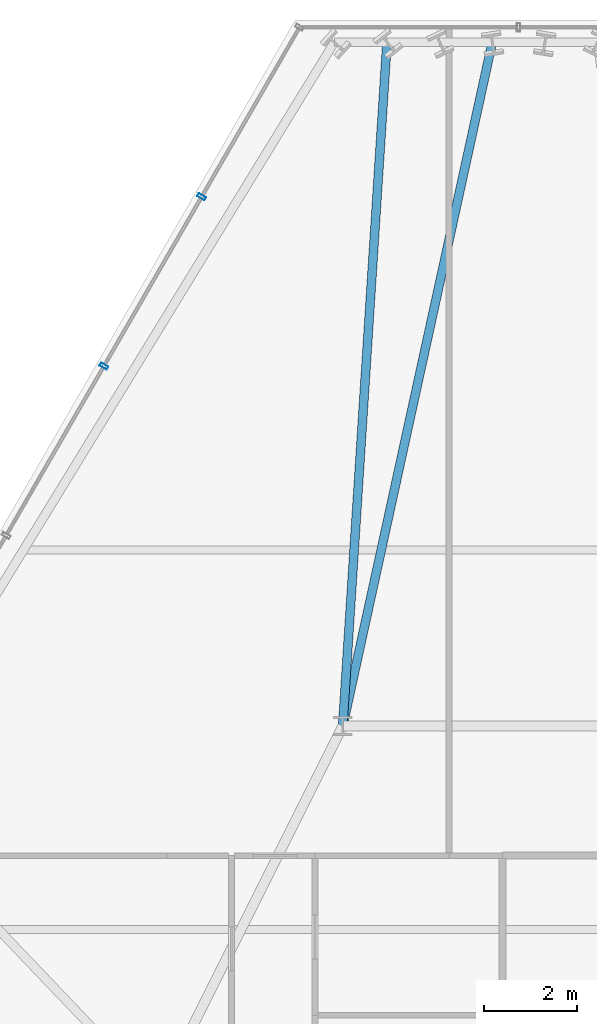
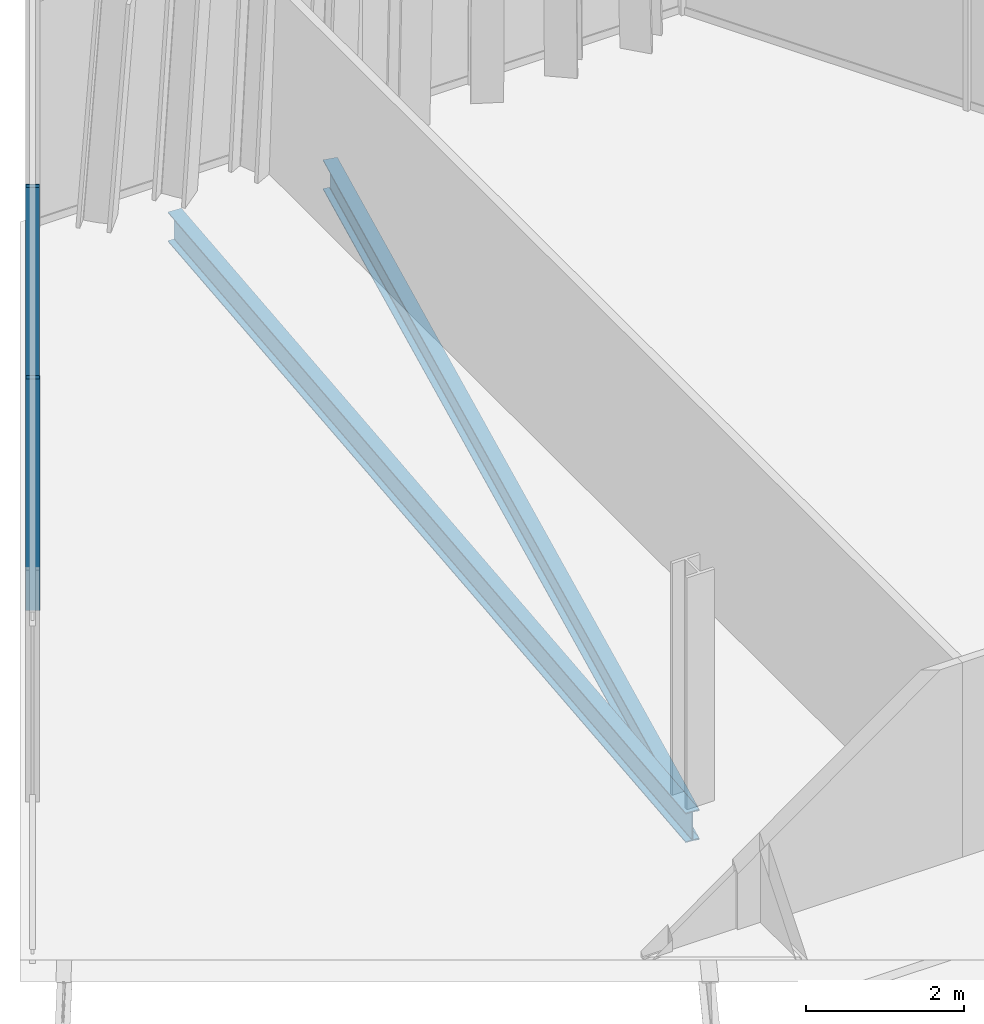
# One storey, part 21 of 33: 2 beams, 2 members, 1 element without a shape of its own.
"""IFC4 building model written with IfcOpenShell, lengths in metres."""

from ifc_helpers import new_model, si_unit, direction, frame, origin, origin_2d, place, context, subcontext, project, spatial, hollow_rectangle, i_section, extrude, material, layer, layer_set, material_profile, profile_set, type_object, element, aggregate, save


model = new_model("IFC4")

# Units and contexts
model_context = context("Model", 3, precision=1e-05, world=origin(), true_north=direction((0.0, 1.0)))
body_context = subcontext(model_context, "Body", "Model", "MODEL_VIEW")
ifc_project = project(units=[si_unit("LENGTHUNIT", "METRE"), si_unit("AREAUNIT", "SQUARE_METRE"), si_unit("VOLUMEUNIT", "CUBIC_METRE"), si_unit("PLANEANGLEUNIT", "RADIAN"), si_unit("MASSUNIT", "GRAM", prefix="KILO")], contexts=[model_context])

# Site, building, storey
site_placement = place(None, origin())
site = spatial("IfcSite", under=ifc_project, at=site_placement, CompositionType="ELEMENT")
building_placement = place(site_placement, origin())
building = spatial("IfcBuilding", under=site, at=building_placement, Name="Ndaravel Arena Tower", CompositionType="ELEMENT")
storey_placement = place(building_placement, frame((0.0, 0.0, 187.800048828125)))
storey = spatial("IfcBuildingStorey", under=building, at=storey_placement, Name="L45", CompositionType="ELEMENT", Elevation=187.800048828125)

# Beams
ifc_material_1 = material(Name="Steel S355", Category="steel")
ifc_material_profile_1 = material_profile(ifc_material_1, i_section(OverallWidth=0.19140625, OverallDepth=0.4599609375, WebThickness=0.010009765625, FlangeThickness=0.01611328125, FilletRadius=0.01025390625, at=origin_2d()), Name="UB 457x191x82")
ifc_profile_set_1 = profile_set([ifc_material_profile_1], Name="Steel S355")
beam_type = type_object("IfcBeamType", Name="BM-GIRD-UB457", PredefinedType="BEAM", material=ifc_profile_set_1)
beam_1_placement = place(storey_placement, frame((41.431396484375, 45.97265625, -0.449951171875), z_axis=(-0.21369158249, -0.97690117595, 0.0), x_axis=(0.97690117595, -0.21369158249, 0.0)))
element("IfcBeam", 1, at=beam_1_placement, inside=storey, type_object=beam_type, Name="L45 Radial Floor Girder FG-15", PredefinedType="BEAM", context=body_context, shape_type="SweptSolid", body=[
    extrude(i_section(OverallWidth=0.19140625, OverallDepth=0.4599609375, WebThickness=0.010009765625, FlangeThickness=0.01611328125, FilletRadius=0.01025390625, at=origin_2d()), origin(), (0.0, 0.0, 1.0), 15.1220703125),
])
beam_2_placement = place(storey_placement, frame((39.15673828125, 45.97265625, -0.449951171875), z_axis=(-0.064631808032, -0.997909178929, 0.0), x_axis=(0.997909178929, -0.064631808032, 0.0)))
element("IfcBeam", 2, at=beam_2_placement, inside=storey, type_object=beam_type, Name="L45 Radial Floor Girder FG-17", PredefinedType="BEAM", context=body_context, shape_type="SweptSolid", body=[
    extrude(i_section(OverallWidth=0.19140625, OverallDepth=0.4599609375, WebThickness=0.010009765625, FlangeThickness=0.01611328125, FilletRadius=0.01025390625, at=origin_2d()), origin(), (0.0, 0.0, 1.0), 14.8037109375),
])

# Curtain wall, members
ifc_material_2 = material(Name="Aluminium", Category="aluminium")
ifc_layer = layer(ifc_material_2, 0.179931640625)
ifc_layer_set = layer_set([ifc_layer], Name="Aluminium")
curtain_wall_type = type_object("IfcCurtainWallType", Name="CW-SYS-03", PredefinedType="NOTDEFINED", material=ifc_layer_set)
curtain_wall_placement = place(storey_placement, origin())
curtain_wall = element("IfcCurtainWall", 3, at=curtain_wall_placement, inside=storey, type_object=curtain_wall_type, Name="L45 Faceted Crystal Curtain Wall CW-L45-E05", PredefinedType="NOTDEFINED")
ifc_material_3 = material(Name="Aluminium", Category="aluminium")
ifc_material_profile_2 = material_profile(ifc_material_3, hollow_rectangle(XDim=0.074951171875, YDim=0.179931640625, WallThickness=0.00390625, at=origin_2d()), Name="CW MULLION 75x180x4")
ifc_profile_set_2 = profile_set([ifc_material_profile_2], Name="Aluminium")
member_type = type_object("IfcMemberType", Name="MEM-CW-MUL180", PredefinedType="MULLION", material=ifc_profile_set_2)
member_1_placement = place(storey_placement, frame((35.1533203125, 42.63330078125, 0.0), z_axis=(0.0, 0.0, 1.0), x_axis=(-0.5, -0.866025403784, 0.0)))
member_1 = element("IfcMember", 4, at=member_1_placement, type_object=member_type, Name="CW-L45-E05 Mullion 01", PredefinedType="MULLION", context=body_context, shape_type="SweptSolid", body=[
    extrude(hollow_rectangle(XDim=0.074951171875, YDim=0.179931640625, WallThickness=0.00390625, at=origin_2d()), origin(), (0.0, 0.0, 1.0), 3.579833984375),
])
member_2_placement = place(storey_placement, frame((33.040771484375, 38.97412109375, 0.0), z_axis=(0.0, 0.0, 1.0), x_axis=(-0.5, -0.866025403784, 0.0)))
member_2 = element("IfcMember", 5, at=member_2_placement, type_object=member_type, Name="CW-L45-E05 Mullion 02", PredefinedType="MULLION", context=body_context, shape_type="SweptSolid", body=[
    extrude(hollow_rectangle(XDim=0.074951171875, YDim=0.179931640625, WallThickness=0.00390625, at=origin_2d()), origin(), (0.0, 0.0, 1.0), 3.579833984375),
])
aggregate(curtain_wall, [member_1, member_2])

save(model, "model.ifc")
